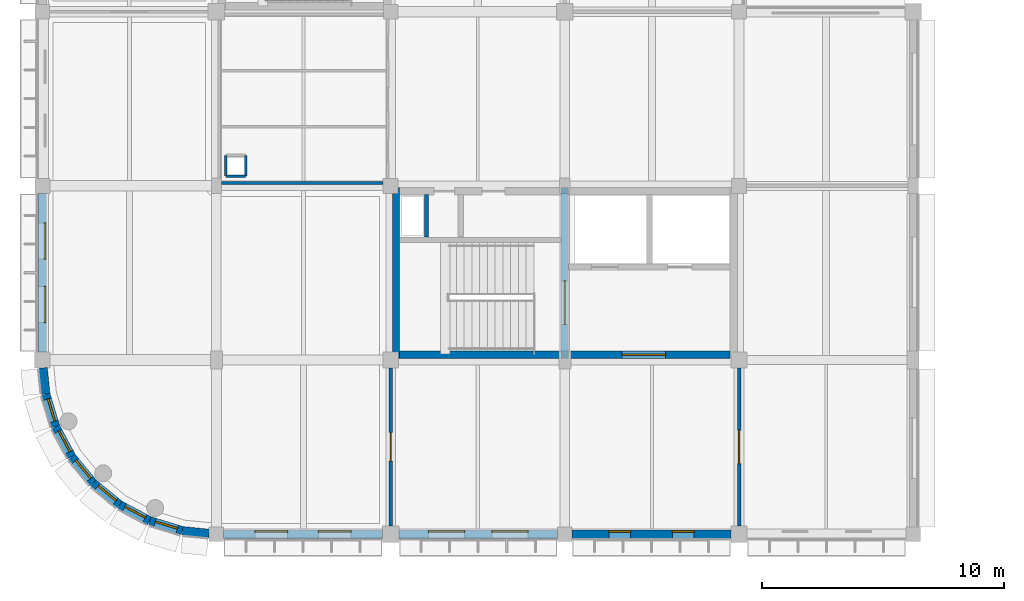
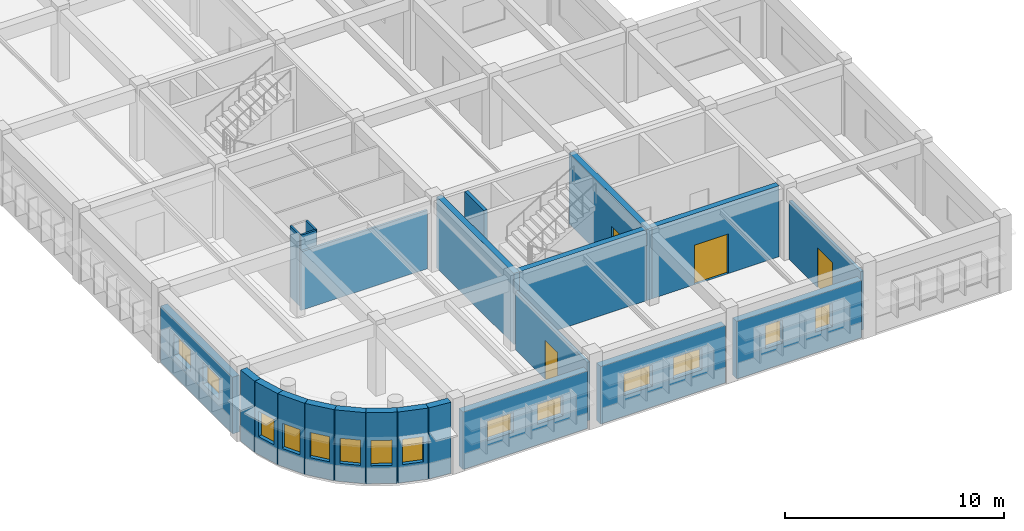
# One storey, part 19 of 38: 23 walls, 14 windows, 4 doors, 18 openings.
"""IFC4 building model written with IfcOpenShell, lengths in metres."""

from ifc_helpers import new_model, si_unit, direction, frame, frame_2d, origin, place, context, subcontext, project, spatial, rectangle, extrude, material, layer, layer_set, type_object, element, fill, save


model = new_model("IFC4")

# Units and contexts
model_context = context("Model", 3, precision=1e-05, world=origin(), true_north=direction((0.0, 1.0)))
body_context = subcontext(model_context, "Body", "Model", "MODEL_VIEW")
ifc_project = project(units=[si_unit("LENGTHUNIT", "METRE"), si_unit("AREAUNIT", "SQUARE_METRE"), si_unit("VOLUMEUNIT", "CUBIC_METRE"), si_unit("PLANEANGLEUNIT", "RADIAN"), si_unit("MASSUNIT", "GRAM", prefix="KILO")], contexts=[model_context])

# Site, building, storey
site_placement = place(None, origin())
site = spatial("IfcSite", under=ifc_project, at=site_placement, CompositionType="ELEMENT")
building_placement = place(site_placement, origin())
building = spatial("IfcBuilding", under=site, at=building_placement, Name="Thalmaran Polytechnic", CompositionType="ELEMENT")
storey_placement = place(building_placement, frame((0.0, 0.0, 18.60009765625)))
storey = spatial("IfcBuildingStorey", under=building, at=storey_placement, Name="L04", CompositionType="ELEMENT", Elevation=18.60009765625)

# Wall
ifc_material_1 = material(Name="Precast concrete C40/50", Category="concrete")
ifc_layer_1 = layer(ifc_material_1, 0.360107421875, Name="Precast concrete C40/50")
ifc_layer_set_1 = layer_set([ifc_layer_1], Name="Precast concrete C40/50")
wall_type_1 = type_object("IfcWallType", Name="WL-EW01", PredefinedType="STANDARD", material=ifc_layer_set_1)
wall_1_placement = place(storey_placement, frame((0.138427734375, 5.79541015625, 0.0), z_axis=(0.0, 0.0, 1.0), x_axis=(-0.098213027533, 0.995165414, 0.0)))
element("IfcWall", 1, at=wall_1_placement, inside=storey, type_object=wall_type_1, Name="Exterior Precast Facade Wall L04-025", PredefinedType="STANDARD", context=body_context, shape_type="SweptSolid", body=[
    extrude(rectangle(XDim=1.08642578125, YDim=0.360107421875, at=frame_2d((0.543212890625, 0.0))), origin(), (0.0, 0.0, 1.0), 3.954833984375),
])

# Wall, openings, windows
wall_2_placement = place(storey_placement, frame((0.0, 7.52490234375, 0.0), z_axis=(0.0, 0.0, 1.0), x_axis=(0.0, 1.0, 0.0)))
wall_2 = element("IfcWall", 2, at=wall_2_placement, inside=storey, type_object=wall_type_1, Name="Exterior Precast Facade Wall L04-026", PredefinedType="STANDARD", context=body_context, shape_type="SweptSolid", body=[
    extrude(rectangle(XDim=6.565185546875, YDim=0.360107421875, at=frame_2d((3.28271484375, 0.0))), origin(), (0.0, 0.0, 1.0), 3.14990234375),
])
opening_1_placement = place(wall_2_placement, frame((1.219482421875, 0.0, 1.14990234375)))
opening_1 = element("IfcOpeningElement", 3, at=opening_1_placement, cuts=wall_2, Name="Opening PW14", PredefinedType="OPENING", context=body_context, shape_type="SweptSolid", body=[
    extrude(rectangle(XDim=1.5, YDim=1.199951171875, at=frame_2d((0.75, 0.60009765625))), frame((0.0, 0.18994140625, 0.0), z_axis=(0.0, -1.0, 0.0), x_axis=(1.0, 0.0, 0.0)), (0.0, 0.0, 1.0), 0.380126953125),
])
opening_2_placement = place(wall_2_placement, frame((3.845458984375, 0.0, 1.14990234375)))
opening_2 = element("IfcOpeningElement", 4, at=opening_2_placement, cuts=wall_2, Name="Opening PW14", PredefinedType="OPENING", context=body_context, shape_type="SweptSolid", body=[
    extrude(rectangle(XDim=1.5, YDim=1.199951171875, at=frame_2d((0.75, 0.60009765625))), frame((0.0, 0.18994140625, 0.0), z_axis=(0.0, -1.0, 0.0), x_axis=(1.0, 0.0, 0.0)), (0.0, 0.0, 1.0), 0.380126953125),
])
ifc_material_2 = material(Name="Thermally broken aluminium and double low-E glass", Category="aluminium")
window_type_1 = type_object("IfcWindowType", Name="WN-PW04", PartitioningType="DOUBLE_PANEL_VERTICAL", PredefinedType="WINDOW", material=ifc_material_2)
window_1_placement = place(opening_1_placement, origin())
window_1 = element("IfcWindow", 5, at=window_1_placement, inside=storey, type_object=window_type_1, Name="Deep-Set Solar-Screened Window W-0548", OverallHeight=1.199951171875, OverallWidth=1.5, PartitioningType="SINGLE_PANEL", PredefinedType="WINDOW", context=body_context, shape_type="SweptSolid", body=[
    extrude(rectangle(XDim=1.5, YDim=1.199951171875, at=frame_2d((0.75, 0.60009765625))), frame((0.0, -0.080078125, 0.0), z_axis=(0.0, -1.0, 0.0), x_axis=(1.0, 0.0, 0.0)), (0.0, 0.0, 1.0), 0.06005859375),
])
fill(opening_1, window_1)
window_2_placement = place(opening_2_placement, origin())
window_2 = element("IfcWindow", 6, at=window_2_placement, inside=storey, type_object=window_type_1, Name="Deep-Set Solar-Screened Window W-0549", OverallHeight=1.199951171875, OverallWidth=1.5, PartitioningType="SINGLE_PANEL", PredefinedType="WINDOW", context=body_context, shape_type="SweptSolid", body=[
    extrude(rectangle(XDim=1.5, YDim=1.199951171875, at=frame_2d((0.75, 0.60009765625))), frame((0.0, -0.080078125, 0.0), z_axis=(0.0, -1.0, 0.0), x_axis=(1.0, 0.0, 0.0)), (0.0, 0.0, 1.0), 0.06005859375),
])
fill(opening_2, window_2)

wall_3_placement = place(storey_placement, frame((28.4599609375, 0.0, 0.0), z_axis=(0.0, 0.0, 1.0), x_axis=(-1.0, 0.0, 0.0)))
wall_3 = element("IfcWall", 7, at=wall_3_placement, inside=storey, type_object=wall_type_1, Name="Exterior Precast Facade Wall L04-095", PredefinedType="STANDARD", context=body_context, shape_type="SweptSolid", body=[
    extrude(rectangle(XDim=6.56005859375, YDim=0.360107421875, at=frame_2d((3.280029296875, 0.0))), origin(), (0.0, 0.0, 1.0), 3.199951171875),
])
opening_3_placement = place(wall_3_placement, frame((1.51806640625, 0.0, 1.14990234375)))
opening_3 = element("IfcOpeningElement", 8, at=opening_3_placement, cuts=wall_3, Name="Opening PW13", PredefinedType="OPENING", context=body_context, shape_type="SweptSolid", body=[
    extrude(rectangle(XDim=0.89990234375, YDim=1.300048828125, at=frame_2d((0.449951171875, 0.64990234375))), frame((0.0, 0.18994140625, 0.0), z_axis=(0.0, -1.0, 0.0), x_axis=(1.0, 0.0, 0.0)), (0.0, 0.0, 1.0), 0.380126953125),
])
opening_4_placement = place(wall_3_placement, frame((4.14208984375, 0.0, 1.14990234375)))
opening_4 = element("IfcOpeningElement", 9, at=opening_4_placement, cuts=wall_3, Name="Opening PW13", PredefinedType="OPENING", context=body_context, shape_type="SweptSolid", body=[
    extrude(rectangle(XDim=0.89990234375, YDim=1.300048828125, at=frame_2d((0.449951171875, 0.64990234375))), frame((0.0, 0.18994140625, 0.0), z_axis=(0.0, -1.0, 0.0), x_axis=(1.0, 0.0, 0.0)), (0.0, 0.0, 1.0), 0.380126953125),
])
window_type_2 = type_object("IfcWindowType", Name="WN-PW03", PartitioningType="SINGLE_PANEL", PredefinedType="WINDOW", material=ifc_material_2)
window_3_placement = place(opening_3_placement, origin())
window_3 = element("IfcWindow", 10, at=window_3_placement, inside=storey, type_object=window_type_2, Name="Deep-Set Solar-Screened Window W-0638", OverallHeight=1.300048828125, OverallWidth=0.89990234375, PartitioningType="SINGLE_PANEL", PredefinedType="WINDOW", context=body_context, shape_type="SweptSolid", body=[
    extrude(rectangle(XDim=0.89990234375, YDim=1.300048828125, at=frame_2d((0.449951171875, 0.64990234375))), frame((0.0, -0.080078125, 0.0), z_axis=(0.0, -1.0, 0.0), x_axis=(1.0, 0.0, 0.0)), (0.0, 0.0, 1.0), 0.06005859375),
])
fill(opening_3, window_3)
window_4_placement = place(opening_4_placement, origin())
window_4 = element("IfcWindow", 11, at=window_4_placement, inside=storey, type_object=window_type_2, Name="Deep-Set Solar-Screened Window W-0639", OverallHeight=1.300048828125, OverallWidth=0.89990234375, PartitioningType="SINGLE_PANEL", PredefinedType="WINDOW", context=body_context, shape_type="SweptSolid", body=[
    extrude(rectangle(XDim=0.89990234375, YDim=1.300048828125, at=frame_2d((0.449951171875, 0.64990234375))), frame((0.0, -0.080078125, 0.0), z_axis=(0.0, -1.0, 0.0), x_axis=(1.0, 0.0, 0.0)), (0.0, 0.0, 1.0), 0.06005859375),
])
fill(opening_4, window_4)

wall_4_placement = place(storey_placement, frame((21.300048828125, 0.0, 0.0), z_axis=(0.0, 0.0, 1.0), x_axis=(-1.0, 0.0, 0.0)))
wall_4 = element("IfcWall", 12, at=wall_4_placement, inside=storey, type_object=wall_type_1, Name="Exterior Precast Facade Wall L04-096", PredefinedType="STANDARD", context=body_context, shape_type="SweptSolid", body=[
    extrude(rectangle(XDim=6.56005859375, YDim=0.360107421875, at=frame_2d((3.280029296875, 0.0))), origin(), (0.0, 0.0, 1.0), 3.199951171875),
])
opening_5_placement = place(wall_4_placement, frame((1.218017578125, 0.0, 1.14990234375)))
opening_5 = element("IfcOpeningElement", 13, at=opening_5_placement, cuts=wall_4, Name="Opening PW14", PredefinedType="OPENING", context=body_context, shape_type="SweptSolid", body=[
    extrude(rectangle(XDim=1.5, YDim=1.199951171875, at=frame_2d((0.75, 0.60009765625))), frame((0.0, 0.18994140625, 0.0), z_axis=(0.0, -1.0, 0.0), x_axis=(1.0, 0.0, 0.0)), (0.0, 0.0, 1.0), 0.380126953125),
])
opening_6_placement = place(wall_4_placement, frame((3.842041015625, 0.0, 1.14990234375)))
opening_6 = element("IfcOpeningElement", 14, at=opening_6_placement, cuts=wall_4, Name="Opening PW14", PredefinedType="OPENING", context=body_context, shape_type="SweptSolid", body=[
    extrude(rectangle(XDim=1.5, YDim=1.199951171875, at=frame_2d((0.75, 0.60009765625))), frame((0.0, 0.18994140625, 0.0), z_axis=(0.0, -1.0, 0.0), x_axis=(1.0, 0.0, 0.0)), (0.0, 0.0, 1.0), 0.380126953125),
])
window_5_placement = place(opening_5_placement, origin())
window_5 = element("IfcWindow", 15, at=window_5_placement, inside=storey, type_object=window_type_1, Name="Deep-Set Solar-Screened Window W-0640", OverallHeight=1.199951171875, OverallWidth=1.5, PartitioningType="SINGLE_PANEL", PredefinedType="WINDOW", context=body_context, shape_type="SweptSolid", body=[
    extrude(rectangle(XDim=1.5, YDim=1.199951171875, at=frame_2d((0.75, 0.60009765625))), frame((0.0, -0.080078125, 0.0), z_axis=(0.0, -1.0, 0.0), x_axis=(1.0, 0.0, 0.0)), (0.0, 0.0, 1.0), 0.06005859375),
])
fill(opening_5, window_5)
window_6_placement = place(opening_6_placement, origin())
window_6 = element("IfcWindow", 16, at=window_6_placement, inside=storey, type_object=window_type_1, Name="Deep-Set Solar-Screened Window W-0641", OverallHeight=1.199951171875, OverallWidth=1.5, PartitioningType="SINGLE_PANEL", PredefinedType="WINDOW", context=body_context, shape_type="SweptSolid", body=[
    extrude(rectangle(XDim=1.5, YDim=1.199951171875, at=frame_2d((0.75, 0.60009765625))), frame((0.0, -0.080078125, 0.0), z_axis=(0.0, -1.0, 0.0), x_axis=(1.0, 0.0, 0.0)), (0.0, 0.0, 1.0), 0.06005859375),
])
fill(opening_6, window_6)

wall_5_placement = place(storey_placement, frame((14.06005859375, 0.0, 0.0), z_axis=(0.0, 0.0, 1.0), x_axis=(-1.0, 0.0, 0.0)))
wall_5 = element("IfcWall", 17, at=wall_5_placement, inside=storey, type_object=wall_type_1, Name="Exterior Precast Facade Wall L04-097", PredefinedType="STANDARD", context=body_context, shape_type="SweptSolid", body=[
    extrude(rectangle(XDim=6.56005859375, YDim=0.360107421875, at=frame_2d((3.280029296875, 0.0))), origin(), (0.0, 0.0, 1.0), 3.199951171875),
])
opening_7_placement = place(wall_5_placement, frame((1.29296875, 0.0, 1.14990234375)))
opening_7 = element("IfcOpeningElement", 18, at=opening_7_placement, cuts=wall_5, Name="Opening PW15", PredefinedType="OPENING", context=body_context, shape_type="SweptSolid", body=[
    extrude(rectangle(XDim=1.35009765625, YDim=1.10009765625, at=frame_2d((0.675048828125, 0.550048828125))), frame((0.0, 0.18994140625, 0.0), z_axis=(0.0, -1.0, 0.0), x_axis=(1.0, 0.0, 0.0)), (0.0, 0.0, 1.0), 0.380126953125),
])
opening_8_placement = place(wall_5_placement, frame((3.9169921875, 0.0, 1.14990234375)))
opening_8 = element("IfcOpeningElement", 19, at=opening_8_placement, cuts=wall_5, Name="Opening PW15", PredefinedType="OPENING", context=body_context, shape_type="SweptSolid", body=[
    extrude(rectangle(XDim=1.35009765625, YDim=1.10009765625, at=frame_2d((0.675048828125, 0.550048828125))), frame((0.0, 0.18994140625, 0.0), z_axis=(0.0, -1.0, 0.0), x_axis=(1.0, 0.0, 0.0)), (0.0, 0.0, 1.0), 0.380126953125),
])
window_type_3 = type_object("IfcWindowType", Name="WN-PW05", PartitioningType="SINGLE_PANEL", PredefinedType="WINDOW", material=ifc_material_2)
window_7_placement = place(opening_7_placement, origin())
window_7 = element("IfcWindow", 20, at=window_7_placement, inside=storey, type_object=window_type_3, Name="Deep-Set Solar-Screened Window W-0642", OverallHeight=1.10009765625, OverallWidth=1.35009765625, PartitioningType="SINGLE_PANEL", PredefinedType="WINDOW", context=body_context, shape_type="SweptSolid", body=[
    extrude(rectangle(XDim=1.35009765625, YDim=1.10009765625, at=frame_2d((0.675048828125, 0.550048828125))), frame((0.0, -0.080078125, 0.0), z_axis=(0.0, -1.0, 0.0), x_axis=(1.0, 0.0, 0.0)), (0.0, 0.0, 1.0), 0.06005859375),
])
fill(opening_7, window_7)
window_8_placement = place(opening_8_placement, origin())
window_8 = element("IfcWindow", 21, at=window_8_placement, inside=storey, type_object=window_type_3, Name="Deep-Set Solar-Screened Window W-0643", OverallHeight=1.10009765625, OverallWidth=1.35009765625, PartitioningType="SINGLE_PANEL", PredefinedType="WINDOW", context=body_context, shape_type="SweptSolid", body=[
    extrude(rectangle(XDim=1.35009765625, YDim=1.10009765625, at=frame_2d((0.675048828125, 0.550048828125))), frame((0.0, -0.080078125, 0.0), z_axis=(0.0, -1.0, 0.0), x_axis=(1.0, 0.0, 0.0)), (0.0, 0.0, 1.0), 0.06005859375),
])
fill(opening_8, window_8)

# Wall
wall_6_placement = place(storey_placement, frame((6.9013671875, 0.029296875, 0.0), z_axis=(0.0, 0.0, 1.0), x_axis=(-0.995166839509, 0.098198582177, 0.0)))
element("IfcWall", 22, at=wall_6_placement, inside=storey, type_object=wall_type_1, Name="Exterior Precast Facade Wall L04-098", PredefinedType="STANDARD", context=body_context, shape_type="SweptSolid", body=[
    extrude(rectangle(XDim=1.111328125, YDim=0.360107421875, at=frame_2d((0.5556640625, 0.0))), origin(), (0.0, 0.0, 1.0), 3.954833984375),
])

# Wall, opening, window
wall_7_placement = place(storey_placement, frame((5.79541015625, 0.138427734375, 0.0), z_axis=(0.0, 0.0, 1.0), x_axis=(-0.95696037757, 0.290218599957, 0.0)))
wall_7 = element("IfcWall", 23, at=wall_7_placement, inside=storey, type_object=wall_type_1, Name="Exterior Precast Facade Wall L04-099", PredefinedType="STANDARD", context=body_context, shape_type="SweptSolid", body=[
    extrude(rectangle(XDim=1.41162109375, YDim=0.360107421875, at=frame_2d((0.705810546875, 0.0))), origin(), (0.0, 0.0, 1.0), 3.954833984375),
])
opening_9_placement = place(wall_7_placement, frame((0.2255859375, 0.0, 1.0)))
opening_9 = element("IfcOpeningElement", 24, at=opening_9_placement, cuts=wall_7, Name="Opening CR01", PredefinedType="OPENING", context=body_context, shape_type="SweptSolid", body=[
    extrude(rectangle(XDim=0.9599609375, YDim=1.39990234375, at=frame_2d((0.47998046875, 0.699951171875))), frame((0.0, 0.18994140625, 0.0), z_axis=(0.0, -1.0, 0.0), x_axis=(1.0, 0.0, 0.0)), (0.0, 0.0, 1.0), 0.380126953125),
])
window_type_4 = type_object("IfcWindowType", Name="WN-CR01", PartitioningType="SINGLE_PANEL", PredefinedType="WINDOW", material=ifc_material_2)
window_9_placement = place(opening_9_placement, origin())
window_9 = element("IfcWindow", 25, at=window_9_placement, inside=storey, type_object=window_type_4, Name="Curved Prow Ribbon Window W-0644", OverallHeight=1.39990234375, OverallWidth=0.9599609375, PartitioningType="SINGLE_PANEL", PredefinedType="WINDOW", context=body_context, shape_type="SweptSolid", body=[
    extrude(rectangle(XDim=0.9599609375, YDim=1.39990234375, at=frame_2d((0.47998046875, 0.699951171875))), frame((0.0, -0.010009765625, 0.0), z_axis=(0.0, -1.0, 0.0), x_axis=(1.0, 0.0, 0.0)), (0.0, 0.0, 1.0), 0.06005859375),
])
fill(opening_9, window_9)

wall_8_placement = place(storey_placement, frame((4.444580078125, 0.548095703125, 0.0), z_axis=(0.0, 0.0, 1.0), x_axis=(-0.881916788861, 0.471405109778, 0.0)))
wall_8 = element("IfcWall", 26, at=wall_8_placement, inside=storey, type_object=wall_type_1, Name="Exterior Precast Facade Wall L04-100", PredefinedType="STANDARD", context=body_context, shape_type="SweptSolid", body=[
    extrude(rectangle(XDim=1.411376953125, YDim=0.360107421875, at=frame_2d((0.70556640625, 0.0))), origin(), (0.0, 0.0, 1.0), 3.954833984375),
])
opening_10_placement = place(wall_8_placement, frame((0.2255859375, 0.0, 1.0)))
opening_10 = element("IfcOpeningElement", 27, at=opening_10_placement, cuts=wall_8, Name="Opening CR01", PredefinedType="OPENING", context=body_context, shape_type="SweptSolid", body=[
    extrude(rectangle(XDim=0.9599609375, YDim=1.39990234375, at=frame_2d((0.47998046875, 0.699951171875))), frame((0.0, 0.18994140625, 0.0), z_axis=(0.0, -1.0, 0.0), x_axis=(1.0, 0.0, 0.0)), (0.0, 0.0, 1.0), 0.380126953125),
])
window_10_placement = place(opening_10_placement, origin())
window_10 = element("IfcWindow", 28, at=window_10_placement, inside=storey, type_object=window_type_4, Name="Curved Prow Ribbon Window W-0645", OverallHeight=1.39990234375, OverallWidth=0.9599609375, PartitioningType="SINGLE_PANEL", PredefinedType="WINDOW", context=body_context, shape_type="SweptSolid", body=[
    extrude(rectangle(XDim=0.9599609375, YDim=1.39990234375, at=frame_2d((0.47998046875, 0.699951171875))), frame((0.0, -0.010009765625, 0.0), z_axis=(0.0, -1.0, 0.0), x_axis=(1.0, 0.0, 0.0)), (0.0, 0.0, 1.0), 0.06005859375),
])
fill(opening_10, window_10)

wall_9_placement = place(storey_placement, frame((3.199951171875, 1.21337890625, 0.0), z_axis=(0.0, 0.0, 1.0), x_axis=(-0.772977670605, 0.634433227965, 0.0)))
wall_9 = element("IfcWall", 29, at=wall_9_placement, inside=storey, type_object=wall_type_1, Name="Exterior Precast Facade Wall L04-101", PredefinedType="STANDARD", context=body_context, shape_type="SweptSolid", body=[
    extrude(rectangle(XDim=1.41162109375, YDim=0.360107421875, at=frame_2d((0.705810546875, 0.0))), origin(), (0.0, 0.0, 1.0), 3.954833984375),
])
opening_11_placement = place(wall_9_placement, frame((0.2255859375, 0.0, 1.0)))
opening_11 = element("IfcOpeningElement", 30, at=opening_11_placement, cuts=wall_9, Name="Opening CR01", PredefinedType="OPENING", context=body_context, shape_type="SweptSolid", body=[
    extrude(rectangle(XDim=0.9599609375, YDim=1.39990234375, at=frame_2d((0.47998046875, 0.699951171875))), frame((0.0, 0.18994140625, 0.0), z_axis=(0.0, -1.0, 0.0), x_axis=(1.0, 0.0, 0.0)), (0.0, 0.0, 1.0), 0.380126953125),
])
window_11_placement = place(opening_11_placement, origin())
window_11 = element("IfcWindow", 31, at=window_11_placement, inside=storey, type_object=window_type_4, Name="Curved Prow Ribbon Window W-0646", OverallHeight=1.39990234375, OverallWidth=0.9599609375, PartitioningType="SINGLE_PANEL", PredefinedType="WINDOW", context=body_context, shape_type="SweptSolid", body=[
    extrude(rectangle(XDim=0.9599609375, YDim=1.39990234375, at=frame_2d((0.47998046875, 0.699951171875))), frame((0.0, -0.010009765625, 0.0), z_axis=(0.0, -1.0, 0.0), x_axis=(1.0, 0.0, 0.0)), (0.0, 0.0, 1.0), 0.06005859375),
])
fill(opening_11, window_11)

wall_10_placement = place(storey_placement, frame((2.10888671875, 2.10888671875, 0.0), z_axis=(0.0, 0.0, 1.0), x_axis=(-0.634433227965, 0.772977670605, 0.0)))
wall_10 = element("IfcWall", 32, at=wall_10_placement, inside=storey, type_object=wall_type_1, Name="Exterior Precast Facade Wall L04-102", PredefinedType="STANDARD", context=body_context, shape_type="SweptSolid", body=[
    extrude(rectangle(XDim=1.41162109375, YDim=0.360107421875, at=frame_2d((0.705810546875, 0.0))), origin(), (0.0, 0.0, 1.0), 3.954833984375),
])
opening_12_placement = place(wall_10_placement, frame((0.2255859375, 0.0, 1.0)))
opening_12 = element("IfcOpeningElement", 33, at=opening_12_placement, cuts=wall_10, Name="Opening CR01", PredefinedType="OPENING", context=body_context, shape_type="SweptSolid", body=[
    extrude(rectangle(XDim=0.9599609375, YDim=1.39990234375, at=frame_2d((0.47998046875, 0.699951171875))), frame((0.0, 0.18994140625, 0.0), z_axis=(0.0, -1.0, 0.0), x_axis=(1.0, 0.0, 0.0)), (0.0, 0.0, 1.0), 0.380126953125),
])
window_12_placement = place(opening_12_placement, origin())
window_12 = element("IfcWindow", 34, at=window_12_placement, inside=storey, type_object=window_type_4, Name="Curved Prow Ribbon Window W-0647", OverallHeight=1.39990234375, OverallWidth=0.9599609375, PartitioningType="SINGLE_PANEL", PredefinedType="WINDOW", context=body_context, shape_type="SweptSolid", body=[
    extrude(rectangle(XDim=0.9599609375, YDim=1.39990234375, at=frame_2d((0.47998046875, 0.699951171875))), frame((0.0, -0.010009765625, 0.0), z_axis=(0.0, -1.0, 0.0), x_axis=(1.0, 0.0, 0.0)), (0.0, 0.0, 1.0), 0.06005859375),
])
fill(opening_12, window_12)

wall_11_placement = place(storey_placement, frame((1.21337890625, 3.199951171875, 0.0), z_axis=(0.0, 0.0, 1.0), x_axis=(-0.471405109778, 0.881916788861, 0.0)))
wall_11 = element("IfcWall", 35, at=wall_11_placement, inside=storey, type_object=wall_type_1, Name="Exterior Precast Facade Wall L04-103", PredefinedType="STANDARD", context=body_context, shape_type="SweptSolid", body=[
    extrude(rectangle(XDim=1.411376953125, YDim=0.360107421875, at=frame_2d((0.70556640625, 0.0))), origin(), (0.0, 0.0, 1.0), 3.954833984375),
])
opening_13_placement = place(wall_11_placement, frame((0.2255859375, 0.0, 1.0)))
opening_13 = element("IfcOpeningElement", 36, at=opening_13_placement, cuts=wall_11, Name="Opening CR01", PredefinedType="OPENING", context=body_context, shape_type="SweptSolid", body=[
    extrude(rectangle(XDim=0.9599609375, YDim=1.39990234375, at=frame_2d((0.47998046875, 0.699951171875))), frame((0.0, 0.18994140625, 0.0), z_axis=(0.0, -1.0, 0.0), x_axis=(1.0, 0.0, 0.0)), (0.0, 0.0, 1.0), 0.380126953125),
])
window_13_placement = place(opening_13_placement, origin())
window_13 = element("IfcWindow", 37, at=window_13_placement, inside=storey, type_object=window_type_4, Name="Curved Prow Ribbon Window W-0648", OverallHeight=1.39990234375, OverallWidth=0.9599609375, PartitioningType="SINGLE_PANEL", PredefinedType="WINDOW", context=body_context, shape_type="SweptSolid", body=[
    extrude(rectangle(XDim=0.9599609375, YDim=1.39990234375, at=frame_2d((0.47998046875, 0.699951171875))), frame((0.0, -0.010009765625, 0.0), z_axis=(0.0, -1.0, 0.0), x_axis=(1.0, 0.0, 0.0)), (0.0, 0.0, 1.0), 0.06005859375),
])
fill(opening_13, window_13)

wall_12_placement = place(storey_placement, frame((0.548095703125, 4.444580078125, 0.0), z_axis=(0.0, 0.0, 1.0), x_axis=(-0.290218599957, 0.95696037757, 0.0)))
wall_12 = element("IfcWall", 38, at=wall_12_placement, inside=storey, type_object=wall_type_1, Name="Exterior Precast Facade Wall L04-104", PredefinedType="STANDARD", context=body_context, shape_type="SweptSolid", body=[
    extrude(rectangle(XDim=1.41162109375, YDim=0.360107421875, at=frame_2d((0.705810546875, 0.0))), origin(), (0.0, 0.0, 1.0), 3.954833984375),
])
opening_14_placement = place(wall_12_placement, frame((0.2255859375, 0.0, 1.0)))
opening_14 = element("IfcOpeningElement", 39, at=opening_14_placement, cuts=wall_12, Name="Opening CR01", PredefinedType="OPENING", context=body_context, shape_type="SweptSolid", body=[
    extrude(rectangle(XDim=0.9599609375, YDim=1.39990234375, at=frame_2d((0.47998046875, 0.699951171875))), frame((0.0, 0.18994140625, 0.0), z_axis=(0.0, -1.0, 0.0), x_axis=(1.0, 0.0, 0.0)), (0.0, 0.0, 1.0), 0.380126953125),
])
window_14_placement = place(opening_14_placement, origin())
window_14 = element("IfcWindow", 40, at=window_14_placement, inside=storey, type_object=window_type_4, Name="Curved Prow Ribbon Window W-0649", OverallHeight=1.39990234375, OverallWidth=0.9599609375, PartitioningType="SINGLE_PANEL", PredefinedType="WINDOW", context=body_context, shape_type="SweptSolid", body=[
    extrude(rectangle(XDim=0.9599609375, YDim=1.39990234375, at=frame_2d((0.47998046875, 0.699951171875))), frame((0.0, -0.010009765625, 0.0), z_axis=(0.0, -1.0, 0.0), x_axis=(1.0, 0.0, 0.0)), (0.0, 0.0, 1.0), 0.06005859375),
])
fill(opening_14, window_14)

# Wall
ifc_material_3 = material(Name="Autoclaved aerated masonry", Category="masonry")
ifc_layer_2 = layer(ifc_material_3, 0.179931640625, Name="Autoclaved aerated masonry")
ifc_layer_set_2 = layer_set([ifc_layer_2], Name="Autoclaved aerated masonry")
wall_type_2 = type_object("IfcWallType", Name="WL-IW04", PredefinedType="PARTITIONING", material=ifc_layer_set_2)
wall_13_placement = place(storey_placement, frame((15.8798828125, 12.280029296875, 0.0), z_axis=(0.0, 0.0, 1.0), x_axis=(0.0, 1.0, 0.0)))
element("IfcWall", 41, at=wall_13_placement, inside=storey, type_object=wall_type_2, Name="Core C1 Riser Shaft Enclosure Wall L04", PredefinedType="PARTITIONING", context=body_context, shape_type="SweptSolid", body=[
    extrude(rectangle(XDim=1.760009765625, YDim=0.179931640625, at=frame_2d((0.8798828125, 0.0))), origin(), (0.0, 0.0, 1.0), 3.954833984375),
])

# Wall, opening, door
ifc_material_4 = material(Name="Gypsum acoustic partition")
ifc_layer_3 = layer(ifc_material_4, 0.14501953125, Name="Gypsum acoustic partition")
ifc_layer_set_3 = layer_set([ifc_layer_3], Name="Gypsum acoustic partition")
wall_type_3 = type_object("IfcWallType", Name="WL-IW06", PredefinedType="PARTITIONING", material=ifc_layer_set_3)
wall_14_placement = place(storey_placement, frame((14.39990234375, 0.344970703125, 0.0), z_axis=(0.0, 0.0, 1.0), x_axis=(0.0, 1.0, 0.0)))
wall_14 = element("IfcWall", 42, at=wall_14_placement, inside=storey, type_object=wall_type_3, Name="Interior Partition IW06 L04-011", PredefinedType="PARTITIONING", context=body_context, shape_type="SweptSolid", body=[
    extrude(rectangle(XDim=6.525146484375, YDim=0.14501953125, at=frame_2d((3.2626953125, 0.0))), origin(), (0.0, 0.0, 1.0), 3.260009765625),
])
opening_15_placement = place(wall_14_placement, frame((2.672607421875, 0.0, 0.0)))
opening_15 = element("IfcOpeningElement", 43, at=opening_15_placement, cuts=wall_14, Name="Opening D-L04-001-1-01-1", PredefinedType="OPENING", context=body_context, shape_type="SweptSolid", body=[
    extrude(rectangle(XDim=1.179931640625, YDim=2.179931640625, at=frame_2d((0.58984375, 1.08984375))), frame((0.0, 0.08251953125, 0.0), z_axis=(0.0, -1.0, 0.0), x_axis=(1.0, 0.0, 0.0)), (0.0, 0.0, 1.0), 0.1650390625),
])
ifc_material_5 = material(Name="Acoustic hardwood", Category="wood")
door_type_1 = type_object("IfcDoorType", Name="DR-ZD05", OperationType="NOTDEFINED", PredefinedType="DOOR", material=ifc_material_5)
door_1_placement = place(opening_15_placement, origin())
door_1 = element("IfcDoor", 44, at=door_1_placement, inside=storey, type_object=door_type_1, Name="Thermodynamics Laboratory L04-01 Door 1", OperationType="SINGLE_SWING_LEFT", OverallHeight=2.179931640625, OverallWidth=1.179931640625, PredefinedType="DOOR", context=body_context, shape_type="SweptSolid", body=[
    extrude(rectangle(XDim=1.179931640625, YDim=2.179931640625, at=frame_2d((0.58984375, 1.08984375))), frame((0.0, 0.02490234375, 0.0), z_axis=(0.0, -1.0, 0.0), x_axis=(1.0, 0.0, 0.0)), (0.0, 0.0, 1.0), 0.050048828125),
])
fill(opening_15, door_1)

wall_15_placement = place(storey_placement, frame((28.800048828125, 0.344970703125, 0.0), z_axis=(0.0, 0.0, 1.0), x_axis=(0.0, 1.0, 0.0)))
wall_15 = element("IfcWall", 45, at=wall_15_placement, inside=storey, type_object=wall_type_3, Name="Interior Partition IW06 L04-030", PredefinedType="PARTITIONING", context=body_context, shape_type="SweptSolid", body=[
    extrude(rectangle(XDim=6.525146484375, YDim=0.14501953125, at=frame_2d((3.2626953125, 0.0))), origin(), (0.0, 0.0, 1.0), 3.260009765625),
])
opening_16_placement = place(wall_15_placement, frame((2.572509765625, 0.0, 0.0)))
opening_16 = element("IfcOpeningElement", 46, at=opening_16_placement, cuts=wall_15, Name="Opening D-L04-009-1-07-1", PredefinedType="OPENING", context=body_context, shape_type="SweptSolid", body=[
    extrude(rectangle(XDim=1.3798828125, YDim=2.219970703125, at=frame_2d((0.68994140625, 1.10986328125))), frame((0.0, 0.08251953125, 0.0), z_axis=(0.0, -1.0, 0.0), x_axis=(1.0, 0.0, 0.0)), (0.0, 0.0, 1.0), 0.1650390625),
])
ifc_material_6 = material(Name="Acoustic hardwood and vision glass", Category="wood")
door_type_2 = type_object("IfcDoorType", Name="DR-ZD04", OperationType="NOTDEFINED", PredefinedType="DOOR", material=ifc_material_6)
door_2_placement = place(opening_16_placement, origin())
door_2 = element("IfcDoor", 47, at=door_2_placement, inside=storey, type_object=door_type_2, Name="Materials Testing Laboratory L04-07 Door 1", OperationType="SINGLE_SWING_LEFT", OverallHeight=2.219970703125, OverallWidth=1.3798828125, PredefinedType="DOOR", context=body_context, shape_type="SweptSolid", body=[
    extrude(rectangle(XDim=1.3798828125, YDim=2.219970703125, at=frame_2d((0.68994140625, 1.10986328125))), frame((0.0, 0.02490234375, 0.0), z_axis=(0.0, -1.0, 0.0), x_axis=(1.0, 0.0, 0.0)), (0.0, 0.0, 1.0), 0.050048828125),
])
fill(opening_16, door_2)

# Walls
ifc_layer_4 = layer(ifc_material_4, 0.114990234375, Name="Gypsum acoustic partition")
ifc_layer_set_4 = layer_set([ifc_layer_4], Name="Gypsum acoustic partition")
wall_type_4 = type_object("IfcWallType", Name="WL-IW08", PredefinedType="PARTITIONING", material=ifc_layer_set_4)
wall_16_placement = place(storey_placement, frame((7.4150390625, 14.52001953125, 0.0), z_axis=(0.0, 0.0, 1.0), x_axis=(1.0, 0.0, 0.0)))
element("IfcWall", 48, at=wall_16_placement, inside=storey, type_object=wall_type_4, Name="Sanitary Core Wall L04-W1-S", PredefinedType="PARTITIONING", context=body_context, shape_type="SweptSolid", body=[
    extrude(rectangle(XDim=6.669921875, YDim=0.114990234375, at=frame_2d((3.3349609375, 0.0))), origin(), (0.0, 0.0, 1.0), 3.2548828125),
])
ifc_material_7 = material(Name="Moisture-resistant partition")
ifc_layer_5 = layer(ifc_material_7, 0.10009765625, Name="Moisture-resistant partition")
ifc_layer_set_5 = layer_set([ifc_layer_5], Name="Moisture-resistant partition")
wall_type_5 = type_object("IfcWallType", Name="WL-IW09", PredefinedType="PARTITIONING", material=ifc_layer_set_5)
wall_17_placement = place(storey_placement, frame((7.590087890625, 14.800048828125, 0.0), z_axis=(0.0, 0.0, 1.0), x_axis=(1.0, 0.0, 0.0)))
element("IfcWall", 49, at=wall_17_placement, inside=storey, type_object=wall_type_5, Name="Plumbing Riser Chase Wall L04-W1-S", PredefinedType="PARTITIONING", context=body_context, shape_type="SweptSolid", body=[
    extrude(rectangle(XDim=0.81982421875, YDim=0.10009765625, at=frame_2d((0.409912109375, 0.0))), origin(), (0.0, 0.0, 1.0), 3.954833984375),
])
for number, where, z_axis, x_axis, name in (
    (50, (8.409912109375, 14.800048828125, 0.0), (0.0, 0.0, 1.0), (0.0, 1.0, 0.0), "Plumbing Riser Chase Wall L04-W1-E"),
    (51, (7.590087890625, 15.659912109375, 0.0), (0.0, 0.0, 1.0), (0.0, -1.0, 0.0), "Plumbing Riser Chase Wall L04-W1-W"),
):
    element("IfcWall", number, at=place(storey_placement, frame(where, z_axis=z_axis, x_axis=x_axis)), inside=storey, type_object=wall_type_5, Name=name, PredefinedType="PARTITIONING", context=body_context, shape_type="SweptSolid", body=[
        extrude(rectangle(XDim=0.85986328125, YDim=0.10009765625, at=frame_2d((0.429931640625, 0.0))), origin(), (0.0, 0.0, 1.0), 3.954833984375),
    ])
ifc_material_8 = material(Name="Concrete C50/60", Category="concrete")
ifc_layer_6 = layer(ifc_material_8, 0.300048828125, Name="Concrete C50/60")
ifc_layer_set_6 = layer_set([ifc_layer_6], Name="Concrete C50/60")
wall_type_6 = type_object("IfcWallType", Name="WL-SW04", PredefinedType="SHEAR", material=ifc_layer_set_6)
wall_18_placement = place(storey_placement, frame((14.77001953125, 7.419921875, 0.0), z_axis=(0.0, 0.0, 1.0), x_axis=(1.0, 0.0, 0.0)))
element("IfcWall", 52, at=wall_18_placement, inside=storey, type_object=wall_type_6, Name="Core C1 South Shear Wall L04", PredefinedType="SHEAR", context=body_context, shape_type="SweptSolid", body=[
    extrude(rectangle(XDim=6.679931640625, YDim=0.300048828125, at=frame_2d((3.33984375, 0.0))), origin(), (0.0, 0.0, 1.0), 3.954833984375),
])
wall_19_placement = place(storey_placement, frame((14.6201171875, 14.330078125, 0.0), z_axis=(0.0, 0.0, 1.0), x_axis=(0.0, -1.0, 0.0)))
element("IfcWall", 53, at=wall_19_placement, inside=storey, type_object=wall_type_6, Name="Core C1 West Shear Wall L04", PredefinedType="SHEAR", context=body_context, shape_type="SweptSolid", body=[
    extrude(rectangle(XDim=7.06005859375, YDim=0.300048828125, at=frame_2d((3.530029296875, 0.0))), origin(), (0.0, 0.0, 1.0), 3.954833984375),
])

# Wall, opening, door
wall_20_placement = place(storey_placement, frame((21.60009765625, 7.27001953125, 0.0), z_axis=(0.0, 0.0, 1.0), x_axis=(0.0, 1.0, 0.0)))
wall_20 = element("IfcWall", 54, at=wall_20_placement, inside=storey, type_object=wall_type_6, Name="Core C1 Stair-Lobby Dividing Shear Wall L04", PredefinedType="SHEAR", context=body_context, shape_type="SweptSolid", body=[
    extrude(rectangle(XDim=7.06005859375, YDim=0.300048828125, at=frame_2d((3.530029296875, 0.0))), origin(), (0.0, 0.0, 1.0), 3.954833984375),
])
opening_17_placement = place(wall_20_placement, frame((1.39990234375, 0.0, 0.0)))
opening_17 = element("IfcOpeningElement", 55, at=opening_17_placement, cuts=wall_20, Name="Opening SD-ST1-L04", PredefinedType="OPENING", context=body_context, shape_type="SweptSolid", body=[
    extrude(rectangle(XDim=1.800048828125, YDim=2.199951171875, at=frame_2d((0.89990234375, 1.10009765625))), frame((0.0, 0.159912109375, 0.0), z_axis=(0.0, -1.0, 0.0), x_axis=(1.0, 0.0, 0.0)), (0.0, 0.0, 1.0), 0.320068359375),
])
ifc_material_9 = material(Name="Powder-coated fire-rated steel", Category="steel")
door_type_3 = type_object("IfcDoorType", Name="DR-FD03", OperationType="NOTDEFINED", PredefinedType="DOOR", material=ifc_material_9)
door_3_placement = place(opening_17_placement, origin())
door_3 = element("IfcDoor", 56, at=door_3_placement, inside=storey, type_object=door_type_3, Name="Firefighting Lobby to Exit Stair Door ST1 L04", OperationType="SINGLE_SWING_LEFT", OverallHeight=2.199951171875, OverallWidth=1.800048828125, PredefinedType="DOOR", context=body_context, shape_type="SweptSolid", body=[
    extrude(rectangle(XDim=1.800048828125, YDim=2.199951171875, at=frame_2d((0.89990234375, 1.10009765625))), frame((0.0, 0.02490234375, 0.0), z_axis=(0.0, -1.0, 0.0), x_axis=(1.0, 0.0, 0.0)), (0.0, 0.0, 1.0), 0.050048828125),
])
fill(opening_17, door_3)

wall_21_placement = place(storey_placement, frame((21.75, 7.419921875, 0.0), z_axis=(0.0, 0.0, 1.0), x_axis=(1.0, 0.0, 0.0)))
wall_21 = element("IfcWall", 57, at=wall_21_placement, inside=storey, type_object=wall_type_6, Name="Core C1 Lobby South Wall L04", PredefinedType="SHEAR", context=body_context, shape_type="SweptSolid", body=[
    extrude(rectangle(XDim=6.679931640625, YDim=0.300048828125, at=frame_2d((3.33984375, 0.0))), origin(), (0.0, 0.0, 1.0), 3.954833984375),
])
opening_18_placement = place(wall_21_placement, frame((2.219970703125, 0.0, 0.0)))
opening_18 = element("IfcOpeningElement", 58, at=opening_18_placement, cuts=wall_21, Name="Opening FD-C1-L04", PredefinedType="OPENING", context=body_context, shape_type="SweptSolid", body=[
    extrude(rectangle(XDim=1.800048828125, YDim=2.199951171875, at=frame_2d((0.89990234375, 1.10009765625))), frame((0.0, 0.159912109375, 0.0), z_axis=(0.0, -1.0, 0.0), x_axis=(1.0, 0.0, 0.0)), (0.0, 0.0, 1.0), 0.320068359375),
])
door_type_4 = type_object("IfcDoorType", Name="DR-FD01", OperationType="NOTDEFINED", PredefinedType="DOOR", material=ifc_material_9)
door_4_placement = place(opening_18_placement, origin())
door_4 = element("IfcDoor", 59, at=door_4_placement, inside=storey, type_object=door_type_4, Name="Firefighting Lift Lobby Entrance Door C1 L04", OperationType="DOUBLE_DOOR_SINGLE_SWING", OverallHeight=2.199951171875, OverallWidth=1.800048828125, PredefinedType="DOOR", context=body_context, shape_type="SweptSolid", body=[
    extrude(rectangle(XDim=1.800048828125, YDim=2.199951171875, at=frame_2d((0.89990234375, 1.10009765625))), frame((0.0, 0.02490234375, 0.0), z_axis=(0.0, -1.0, 0.0), x_axis=(1.0, 0.0, 0.0)), (0.0, 0.0, 1.0), 0.050048828125),
])
fill(opening_18, door_4)

save(model, "model.ifc")
